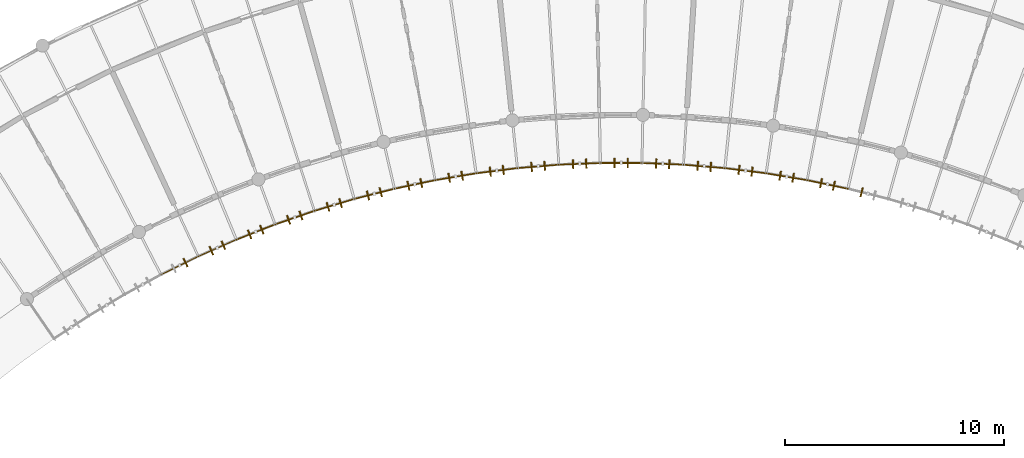
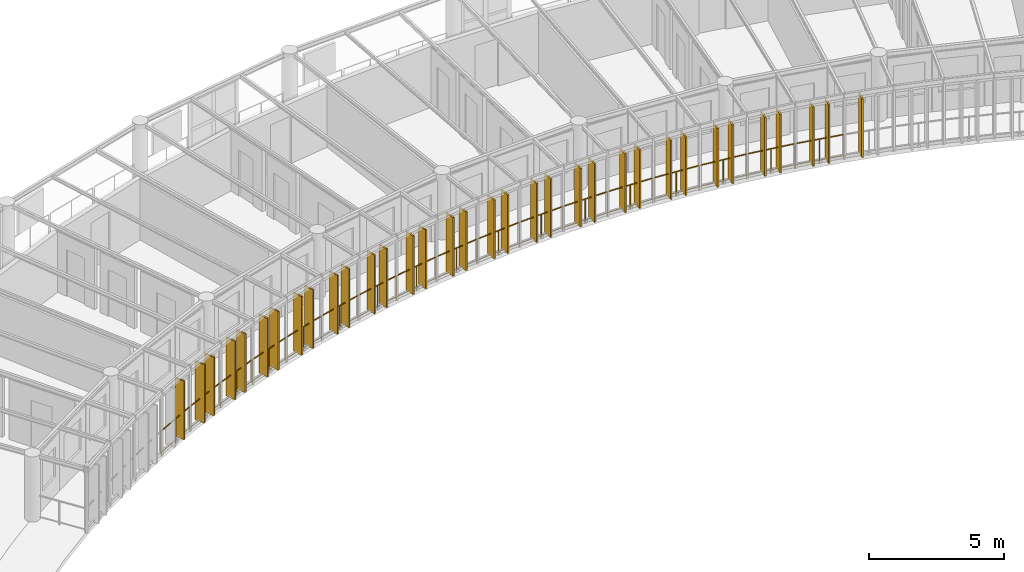
# One storey, part 97 of 101: 34 shading devices, 17 railings.
"""IFC4 building model written with IfcOpenShell, lengths in metres."""

from ifc_helpers import new_model, si_unit, direction, frame, origin, origin_2d, place, context, subcontext, project, spatial, rectangle, circle, extrude, material, layer, layer_set, type_object, element, save


model = new_model("IFC4")

# Units and contexts
model_context = context("Model", 3, precision=1e-05, world=origin(), true_north=direction((0.0, 1.0)))
body_context = subcontext(model_context, "Body", "Model", "MODEL_VIEW")
ifc_project = project(units=[si_unit("LENGTHUNIT", "METRE"), si_unit("AREAUNIT", "SQUARE_METRE"), si_unit("VOLUMEUNIT", "CUBIC_METRE"), si_unit("PLANEANGLEUNIT", "RADIAN"), si_unit("MASSUNIT", "GRAM", prefix="KILO"), si_unit("POWERUNIT", "WATT"), si_unit("THERMODYNAMICTEMPERATUREUNIT", "KELVIN")], contexts=[model_context])

# Site, building, storey
site_placement = place(None, origin())
site = spatial("IfcSite", under=ifc_project, at=site_placement, CompositionType="ELEMENT")
building_placement = place(site_placement, origin())
building = spatial("IfcBuilding", under=site, at=building_placement, Name="Ruvembo Vaulted Housing Court", CompositionType="ELEMENT")
storey_placement = place(building_placement, frame((0.0, 0.0, 17.300048828125)))
storey = spatial("IfcBuildingStorey", under=building, at=storey_placement, Name="L05", CompositionType="ELEMENT", Elevation=17.300048828125)

# Railings
ifc_material_1 = material(Name="Galvanised Painted Steel S275", Category="steel")
ifc_layer = layer(ifc_material_1, 0.06005859375, Name="Galvanised Painted Steel S275")
ifc_layer_set = layer_set([ifc_layer], Name="Galvanised Painted Steel S275")
railing_type = type_object("IfcRailingType", Name="RL-GUARD-1100", PredefinedType="GUARDRAIL", material=ifc_layer_set)
railing_1_placement = place(storey_placement, frame((95.95751953125, 90.6796875, 0.0)))
element("IfcRailing", 1, at=railing_1_placement, inside=storey, type_object=railing_type, Name="L05 Perimeter Guard RL-EXT-L05-0774", PredefinedType="GUARDRAIL", context=body_context, shape_type="SweptSolid", body=[
    extrude(circle(Radius=0.02392578125, at=origin_2d()), frame((0.0, 0.0, 1.076171875), z_axis=(0.897513310314, 0.44098736695, 0.0), x_axis=(-0.44098736695, 0.897513310314, 0.0)), (0.0, 0.0, 1.0), 1.901123046875),
    extrude(circle(Radius=0.01806640625, at=origin_2d()), frame((0.0, 0.0, 0.1201171875), z_axis=(0.897513310314, 0.44098736695, 0.0), x_axis=(-0.44098736695, 0.897513310314, 0.0)), (0.0, 0.0, 1.0), 1.901123046875),
    extrude(circle(Radius=0.02099609375, at=origin_2d()), origin(), (0.0, 0.0, 1.0), 1.052001953125),
    extrude(circle(Radius=0.02099609375, at=origin_2d()), frame((0.85302734375, 0.419189453125, 0.0)), (0.0, 0.0, 1.0), 1.052001953125),
    extrude(circle(Radius=0.02099609375, at=origin_2d()), frame((1.706298828125, 0.83837890625, 0.0)), (0.0, 0.0, 1.0), 1.052001953125),
])
railing_2_placement = place(storey_placement, frame((97.663818359375, 91.51806640625, 0.0)))
element("IfcRailing", 2, at=railing_2_placement, inside=storey, type_object=railing_type, Name="L05 Perimeter Guard RL-EXT-L05-0775", PredefinedType="GUARDRAIL", context=body_context, shape_type="SweptSolid", body=[
    extrude(circle(Radius=0.02392578125, at=origin_2d()), frame((0.0, 0.0, 1.076171875), z_axis=(0.91507815309, 0.403276547467, 0.0), x_axis=(-0.403276547467, 0.91507815309, 0.0)), (0.0, 0.0, 1.0), 1.90087890625),
    extrude(circle(Radius=0.01806640625, at=origin_2d()), frame((0.0, 0.0, 0.1201171875), z_axis=(0.91507815309, 0.403276547467, 0.0), x_axis=(-0.403276547467, 0.91507815309, 0.0)), (0.0, 0.0, 1.0), 1.90087890625),
    extrude(circle(Radius=0.02099609375, at=origin_2d()), origin(), (0.0, 0.0, 1.0), 1.052001953125),
    extrude(circle(Radius=0.02099609375, at=origin_2d()), frame((0.86962890625, 0.38330078125, 0.0)), (0.0, 0.0, 1.0), 1.052001953125),
    extrude(circle(Radius=0.02099609375, at=origin_2d()), frame((1.739501953125, 0.7666015625, 0.0)), (0.0, 0.0, 1.0), 1.052001953125),
])
railing_3_placement = place(storey_placement, frame((99.4033203125, 92.28466796875, 0.0)))
element("IfcRailing", 3, at=railing_3_placement, inside=storey, type_object=railing_type, Name="L05 Perimeter Guard RL-EXT-L05-0776", PredefinedType="GUARDRAIL", context=body_context, shape_type="SweptSolid", body=[
    extrude(circle(Radius=0.02392578125, at=origin_2d()), frame((0.0, 0.0, 1.076171875), z_axis=(0.931005720133, 0.365004587752, 0.0), x_axis=(-0.365004587752, 0.931005720133, 0.0)), (0.0, 0.0, 1.0), 1.90087890625),
    extrude(circle(Radius=0.01806640625, at=origin_2d()), frame((0.0, 0.0, 0.1201171875), z_axis=(0.931005720133, 0.365004587752, 0.0), x_axis=(-0.365004587752, 0.931005720133, 0.0)), (0.0, 0.0, 1.0), 1.90087890625),
    extrude(circle(Radius=0.02099609375, at=origin_2d()), origin(), (0.0, 0.0, 1.0), 1.052001953125),
    extrude(circle(Radius=0.02099609375, at=origin_2d()), frame((0.884765625, 0.346923828125, 0.0)), (0.0, 0.0, 1.0), 1.052001953125),
    extrude(circle(Radius=0.02099609375, at=origin_2d()), frame((1.769775390625, 0.69384765625, 0.0)), (0.0, 0.0, 1.0), 1.052001953125),
])
railing_4_placement = place(storey_placement, frame((101.173095703125, 92.978515625, 0.0)))
element("IfcRailing", 4, at=railing_4_placement, inside=storey, type_object=railing_type, Name="L05 Perimeter Guard RL-EXT-L05-0777", PredefinedType="GUARDRAIL", context=body_context, shape_type="SweptSolid", body=[
    extrude(circle(Radius=0.02392578125, at=origin_2d()), frame((0.0, 0.0, 1.076171875), z_axis=(0.945357969834, 0.326034214264, 0.0), x_axis=(-0.326034214264, 0.945357969834, 0.0)), (0.0, 0.0, 1.0), 1.9013671875),
    extrude(circle(Radius=0.01806640625, at=origin_2d()), frame((0.0, 0.0, 0.1201171875), z_axis=(0.945357969834, 0.326034214264, 0.0), x_axis=(-0.326034214264, 0.945357969834, 0.0)), (0.0, 0.0, 1.0), 1.9013671875),
    extrude(circle(Radius=0.02099609375, at=origin_2d()), origin(), (0.0, 0.0, 1.0), 1.052001953125),
    extrude(circle(Radius=0.02099609375, at=origin_2d()), frame((0.898681640625, 0.31005859375, 0.0)), (0.0, 0.0, 1.0), 1.052001953125),
    extrude(circle(Radius=0.02099609375, at=origin_2d()), frame((1.79736328125, 0.619873046875, 0.0)), (0.0, 0.0, 1.0), 1.052001953125),
])
railing_5_placement = place(storey_placement, frame((102.970458984375, 93.598388671875, 0.0)))
element("IfcRailing", 5, at=railing_5_placement, inside=storey, type_object=railing_type, Name="L05 Perimeter Guard RL-EXT-L05-0778", PredefinedType="GUARDRAIL", context=body_context, shape_type="SweptSolid", body=[
    extrude(circle(Radius=0.02392578125, at=origin_2d()), frame((0.0, 0.0, 1.076171875), z_axis=(0.958108609181, 0.286405120439, 0.0), x_axis=(-0.286405120439, 0.958108609181, 0.0)), (0.0, 0.0, 1.0), 1.90087890625),
    extrude(circle(Radius=0.01806640625, at=origin_2d()), frame((0.0, 0.0, 0.1201171875), z_axis=(0.958108609181, 0.286405120439, 0.0), x_axis=(-0.286405120439, 0.958108609181, 0.0)), (0.0, 0.0, 1.0), 1.90087890625),
    extrude(circle(Radius=0.02099609375, at=origin_2d()), origin(), (0.0, 0.0, 1.0), 1.052001953125),
    extrude(circle(Radius=0.02099609375, at=origin_2d()), frame((0.91064453125, 0.272216796875, 0.0)), (0.0, 0.0, 1.0), 1.052001953125),
    extrude(circle(Radius=0.02099609375, at=origin_2d()), frame((1.8212890625, 0.54443359375, 0.0)), (0.0, 0.0, 1.0), 1.052001953125),
])
railing_6_placement = place(storey_placement, frame((104.791748046875, 94.142822265625, 0.0)))
element("IfcRailing", 6, at=railing_6_placement, inside=storey, type_object=railing_type, Name="L05 Perimeter Guard RL-EXT-L05-0779", PredefinedType="GUARDRAIL", context=body_context, shape_type="SweptSolid", body=[
    extrude(circle(Radius=0.02392578125, at=origin_2d()), frame((0.0, 0.0, 1.076171875), z_axis=(0.969121730429, 0.246582788553, 0.0), x_axis=(-0.246582788553, 0.969121730429, 0.0)), (0.0, 0.0, 1.0), 1.90087890625),
    extrude(circle(Radius=0.01806640625, at=origin_2d()), frame((0.0, 0.0, 0.1201171875), z_axis=(0.969121730429, 0.246582788553, 0.0), x_axis=(-0.246582788553, 0.969121730429, 0.0)), (0.0, 0.0, 1.0), 1.90087890625),
    extrude(circle(Radius=0.02099609375, at=origin_2d()), origin(), (0.0, 0.0, 1.0), 1.052001953125),
    extrude(circle(Radius=0.02099609375, at=origin_2d()), frame((0.921142578125, 0.234375, 0.0)), (0.0, 0.0, 1.0), 1.052001953125),
    extrude(circle(Radius=0.02099609375, at=origin_2d()), frame((1.84228515625, 0.46875, 0.0)), (0.0, 0.0, 1.0), 1.052001953125),
])
railing_7_placement = place(storey_placement, frame((106.634033203125, 94.611572265625, 0.0)))
element("IfcRailing", 7, at=railing_7_placement, inside=storey, type_object=railing_type, Name="L05 Perimeter Guard RL-EXT-L05-0780", PredefinedType="GUARDRAIL", context=body_context, shape_type="SweptSolid", body=[
    extrude(circle(Radius=0.02392578125, at=origin_2d()), frame((0.0, 0.0, 1.076171875), z_axis=(0.978529342624, 0.206107558387, 0.0), x_axis=(-0.206107558387, 0.978529342624, 0.0)), (0.0, 0.0, 1.0), 1.901123046875),
    extrude(circle(Radius=0.01806640625, at=origin_2d()), frame((0.0, 0.0, 0.1201171875), z_axis=(0.978529342624, 0.206107558387, 0.0), x_axis=(-0.206107558387, 0.978529342624, 0.0)), (0.0, 0.0, 1.0), 1.901123046875),
    extrude(circle(Radius=0.02099609375, at=origin_2d()), origin(), (0.0, 0.0, 1.0), 1.052001953125),
    extrude(circle(Radius=0.02099609375, at=origin_2d()), frame((0.93017578125, 0.19580078125, 0.0)), (0.0, 0.0, 1.0), 1.052001953125),
    extrude(circle(Radius=0.02099609375, at=origin_2d()), frame((1.8603515625, 0.391845703125, 0.0)), (0.0, 0.0, 1.0), 1.052001953125),
])
railing_8_placement = place(storey_placement, frame((108.494384765625, 95.00341796875, 0.0)))
element("IfcRailing", 8, at=railing_8_placement, inside=storey, type_object=railing_type, Name="L05 Perimeter Guard RL-EXT-L05-0781", PredefinedType="GUARDRAIL", context=body_context, shape_type="SweptSolid", body=[
    extrude(circle(Radius=0.02392578125, at=origin_2d()), frame((0.0, 0.0, 1.076171875), z_axis=(0.986265186139, 0.165169557153, 0.0), x_axis=(-0.165169557153, 0.986265186139, 0.0)), (0.0, 0.0, 1.0), 1.90087890625),
    extrude(circle(Radius=0.01806640625, at=origin_2d()), frame((0.0, 0.0, 0.1201171875), z_axis=(0.986265186139, 0.165169557153, 0.0), x_axis=(-0.165169557153, 0.986265186139, 0.0)), (0.0, 0.0, 1.0), 1.90087890625),
    extrude(circle(Radius=0.02099609375, at=origin_2d()), origin(), (0.0, 0.0, 1.0), 1.052001953125),
    extrude(circle(Radius=0.02099609375, at=origin_2d()), frame((0.9375, 0.156982421875, 0.0)), (0.0, 0.0, 1.0), 1.052001953125),
    extrude(circle(Radius=0.02099609375, at=origin_2d()), frame((1.874755859375, 0.31396484375, 0.0)), (0.0, 0.0, 1.0), 1.052001953125),
])
railing_9_placement = place(storey_placement, frame((110.369140625, 95.3173828125, 0.0)))
element("IfcRailing", 9, at=railing_9_placement, inside=storey, type_object=railing_type, Name="L05 Perimeter Guard RL-EXT-L05-0782", PredefinedType="GUARDRAIL", context=body_context, shape_type="SweptSolid", body=[
    extrude(circle(Radius=0.02392578125, at=origin_2d()), frame((0.0, 0.0, 1.076171875), z_axis=(0.992244255502, 0.124303408739, 0.0), x_axis=(-0.124303408739, 0.992244255502, 0.0)), (0.0, 0.0, 1.0), 1.901123046875),
    extrude(circle(Radius=0.01806640625, at=origin_2d()), frame((0.0, 0.0, 0.1201171875), z_axis=(0.992244255502, 0.124303408739, 0.0), x_axis=(-0.124303408739, 0.992244255502, 0.0)), (0.0, 0.0, 1.0), 1.901123046875),
    extrude(circle(Radius=0.02099609375, at=origin_2d()), origin(), (0.0, 0.0, 1.0), 1.052001953125),
    extrude(circle(Radius=0.02099609375, at=origin_2d()), frame((0.943359375, 0.1181640625, 0.0)), (0.0, 0.0, 1.0), 1.052001953125),
    extrude(circle(Radius=0.02099609375, at=origin_2d()), frame((1.886474609375, 0.236328125, 0.0)), (0.0, 0.0, 1.0), 1.052001953125),
])
railing_10_placement = place(storey_placement, frame((112.255615234375, 95.5537109375, 0.0)))
element("IfcRailing", 10, at=railing_10_placement, inside=storey, type_object=railing_type, Name="L05 Perimeter Guard RL-EXT-L05-0783", PredefinedType="GUARDRAIL", context=body_context, shape_type="SweptSolid", body=[
    extrude(circle(Radius=0.02392578125, at=origin_2d()), frame((0.0, 0.0, 1.076171875), z_axis=(0.99656344911, 0.082832915551, 0.0), x_axis=(-0.082832915551, 0.99656344911, 0.0)), (0.0, 0.0, 1.0), 1.901123046875),
    extrude(circle(Radius=0.01806640625, at=origin_2d()), frame((0.0, 0.0, 0.1201171875), z_axis=(0.99656344911, 0.082832915551, 0.0), x_axis=(-0.082832915551, 0.99656344911, 0.0)), (0.0, 0.0, 1.0), 1.901123046875),
    extrude(circle(Radius=0.02099609375, at=origin_2d()), origin(), (0.0, 0.0, 1.0), 1.052001953125),
    extrude(circle(Radius=0.02099609375, at=origin_2d()), frame((0.947265625, 0.07861328125, 0.0)), (0.0, 0.0, 1.0), 1.052001953125),
    extrude(circle(Radius=0.02099609375, at=origin_2d()), frame((1.89453125, 0.157470703125, 0.0)), (0.0, 0.0, 1.0), 1.052001953125),
])
railing_11_placement = place(storey_placement, frame((114.150146484375, 95.711181640625, 0.0)))
element("IfcRailing", 11, at=railing_11_placement, inside=storey, type_object=railing_type, Name="L05 Perimeter Guard RL-EXT-L05-0784", PredefinedType="GUARDRAIL", context=body_context, shape_type="SweptSolid", body=[
    extrude(circle(Radius=0.02392578125, at=origin_2d()), frame((0.0, 0.0, 1.076171875), z_axis=(0.999139293915, 0.041480975827, 0.0), x_axis=(-0.041480975827, 0.999139293915, 0.0)), (0.0, 0.0, 1.0), 1.901123046875),
    extrude(circle(Radius=0.01806640625, at=origin_2d()), frame((0.0, 0.0, 0.1201171875), z_axis=(0.999139293915, 0.041480975827, 0.0), x_axis=(-0.041480975827, 0.999139293915, 0.0)), (0.0, 0.0, 1.0), 1.901123046875),
    extrude(circle(Radius=0.02099609375, at=origin_2d()), origin(), (0.0, 0.0, 1.0), 1.052001953125),
    extrude(circle(Radius=0.02099609375, at=origin_2d()), frame((0.94970703125, 0.03955078125, 0.0)), (0.0, 0.0, 1.0), 1.052001953125),
    extrude(circle(Radius=0.02099609375, at=origin_2d()), frame((1.8994140625, 0.078857421875, 0.0)), (0.0, 0.0, 1.0), 1.052001953125),
])
railing_12_placement = place(storey_placement, frame((116.049560546875, 95.7900390625, 0.0)))
element("IfcRailing", 12, at=railing_12_placement, inside=storey, type_object=railing_type, Name="L05 Perimeter Guard RL-EXT-L05-0785", PredefinedType="GUARDRAIL", context=body_context, shape_type="SweptSolid", body=[
    extrude(circle(Radius=0.02392578125, at=origin_2d()), frame((0.0, 0.0, 1.076171875), z_axis=(1.0, 0.0, 0.0), x_axis=(0.0, 1.0, 0.0)), (0.0, 0.0, 1.0), 1.90087890625),
    extrude(circle(Radius=0.01806640625, at=origin_2d()), frame((0.0, 0.0, 0.1201171875), z_axis=(1.0, 0.0, 0.0), x_axis=(0.0, 1.0, 0.0)), (0.0, 0.0, 1.0), 1.90087890625),
    extrude(circle(Radius=0.02099609375, at=origin_2d()), origin(), (0.0, 0.0, 1.0), 1.052001953125),
    extrude(circle(Radius=0.02099609375, at=origin_2d()), frame((0.950439453125, 0.0, 0.0)), (0.0, 0.0, 1.0), 1.052001953125),
    extrude(circle(Radius=0.02099609375, at=origin_2d()), frame((1.90087890625, 0.0, 0.0)), (0.0, 0.0, 1.0), 1.052001953125),
])
railing_13_placement = place(storey_placement, frame((117.950439453125, 95.7900390625, 0.0)))
element("IfcRailing", 13, at=railing_13_placement, inside=storey, type_object=railing_type, Name="L05 Perimeter Guard RL-EXT-L05-0786", PredefinedType="GUARDRAIL", context=body_context, shape_type="SweptSolid", body=[
    extrude(circle(Radius=0.02392578125, at=origin_2d()), frame((0.0, 0.0, 1.076171875), z_axis=(0.999139293915, -0.041480975827, 0.0), x_axis=(0.041480975827, 0.999139293915, 0.0)), (0.0, 0.0, 1.0), 1.901123046875),
    extrude(circle(Radius=0.01806640625, at=origin_2d()), frame((0.0, 0.0, 0.1201171875), z_axis=(0.999139293915, -0.041480975827, 0.0), x_axis=(0.041480975827, 0.999139293915, 0.0)), (0.0, 0.0, 1.0), 1.901123046875),
    extrude(circle(Radius=0.02099609375, at=origin_2d()), origin(), (0.0, 0.0, 1.0), 1.052001953125),
    extrude(circle(Radius=0.02099609375, at=origin_2d()), frame((0.94970703125, -0.03955078125, 0.0)), (0.0, 0.0, 1.0), 1.052001953125),
    extrude(circle(Radius=0.02099609375, at=origin_2d()), frame((1.8994140625, -0.078857421875, 0.0)), (0.0, 0.0, 1.0), 1.052001953125),
])
railing_14_placement = place(storey_placement, frame((119.849853515625, 95.711181640625, 0.0)))
element("IfcRailing", 14, at=railing_14_placement, inside=storey, type_object=railing_type, Name="L05 Perimeter Guard RL-EXT-L05-0787", PredefinedType="GUARDRAIL", context=body_context, shape_type="SweptSolid", body=[
    extrude(circle(Radius=0.02392578125, at=origin_2d()), frame((0.0, 0.0, 1.076171875), z_axis=(0.99656344911, -0.082832915551, 0.0), x_axis=(0.082832915551, 0.99656344911, 0.0)), (0.0, 0.0, 1.0), 1.901123046875),
    extrude(circle(Radius=0.01806640625, at=origin_2d()), frame((0.0, 0.0, 0.1201171875), z_axis=(0.99656344911, -0.082832915551, 0.0), x_axis=(0.082832915551, 0.99656344911, 0.0)), (0.0, 0.0, 1.0), 1.901123046875),
    extrude(circle(Radius=0.02099609375, at=origin_2d()), origin(), (0.0, 0.0, 1.0), 1.052001953125),
    extrude(circle(Radius=0.02099609375, at=origin_2d()), frame((0.947265625, -0.07861328125, 0.0)), (0.0, 0.0, 1.0), 1.052001953125),
    extrude(circle(Radius=0.02099609375, at=origin_2d()), frame((1.89453125, -0.157470703125, 0.0)), (0.0, 0.0, 1.0), 1.052001953125),
])
railing_15_placement = place(storey_placement, frame((121.744384765625, 95.5537109375, 0.0)))
element("IfcRailing", 15, at=railing_15_placement, inside=storey, type_object=railing_type, Name="L05 Perimeter Guard RL-EXT-L05-0788", PredefinedType="GUARDRAIL", context=body_context, shape_type="SweptSolid", body=[
    extrude(circle(Radius=0.02392578125, at=origin_2d()), frame((0.0, 0.0, 1.076171875), z_axis=(0.992244255502, -0.124303408739, 0.0), x_axis=(0.124303408739, 0.992244255502, 0.0)), (0.0, 0.0, 1.0), 1.901123046875),
    extrude(circle(Radius=0.01806640625, at=origin_2d()), frame((0.0, 0.0, 0.1201171875), z_axis=(0.992244255502, -0.124303408739, 0.0), x_axis=(0.124303408739, 0.992244255502, 0.0)), (0.0, 0.0, 1.0), 1.901123046875),
    extrude(circle(Radius=0.02099609375, at=origin_2d()), origin(), (0.0, 0.0, 1.0), 1.052001953125),
    extrude(circle(Radius=0.02099609375, at=origin_2d()), frame((0.943359375, -0.1181640625, 0.0)), (0.0, 0.0, 1.0), 1.052001953125),
    extrude(circle(Radius=0.02099609375, at=origin_2d()), frame((1.886474609375, -0.236328125, 0.0)), (0.0, 0.0, 1.0), 1.052001953125),
])
railing_16_placement = place(storey_placement, frame((123.630859375, 95.3173828125, 0.0)))
element("IfcRailing", 16, at=railing_16_placement, inside=storey, type_object=railing_type, Name="L05 Perimeter Guard RL-EXT-L05-0789", PredefinedType="GUARDRAIL", context=body_context, shape_type="SweptSolid", body=[
    extrude(circle(Radius=0.02392578125, at=origin_2d()), frame((0.0, 0.0, 1.076171875), z_axis=(0.986265186139, -0.165169557153, 0.0), x_axis=(0.165169557153, 0.986265186139, 0.0)), (0.0, 0.0, 1.0), 1.90087890625),
    extrude(circle(Radius=0.01806640625, at=origin_2d()), frame((0.0, 0.0, 0.1201171875), z_axis=(0.986265186139, -0.165169557153, 0.0), x_axis=(0.165169557153, 0.986265186139, 0.0)), (0.0, 0.0, 1.0), 1.90087890625),
    extrude(circle(Radius=0.02099609375, at=origin_2d()), origin(), (0.0, 0.0, 1.0), 1.052001953125),
    extrude(circle(Radius=0.02099609375, at=origin_2d()), frame((0.9375, -0.156982421875, 0.0)), (0.0, 0.0, 1.0), 1.052001953125),
    extrude(circle(Radius=0.02099609375, at=origin_2d()), frame((1.874755859375, -0.31396484375, 0.0)), (0.0, 0.0, 1.0), 1.052001953125),
])
railing_17_placement = place(storey_placement, frame((125.505615234375, 95.00341796875, 0.0)))
element("IfcRailing", 17, at=railing_17_placement, inside=storey, type_object=railing_type, Name="L05 Perimeter Guard RL-EXT-L05-0790", PredefinedType="GUARDRAIL", context=body_context, shape_type="SweptSolid", body=[
    extrude(circle(Radius=0.02392578125, at=origin_2d()), frame((0.0, 0.0, 1.076171875), z_axis=(0.978529342624, -0.206107558387, 0.0), x_axis=(0.206107558387, 0.978529342624, 0.0)), (0.0, 0.0, 1.0), 1.901123046875),
    extrude(circle(Radius=0.01806640625, at=origin_2d()), frame((0.0, 0.0, 0.1201171875), z_axis=(0.978529342624, -0.206107558387, 0.0), x_axis=(0.206107558387, 0.978529342624, 0.0)), (0.0, 0.0, 1.0), 1.901123046875),
    extrude(circle(Radius=0.02099609375, at=origin_2d()), origin(), (0.0, 0.0, 1.0), 1.052001953125),
    extrude(circle(Radius=0.02099609375, at=origin_2d()), frame((0.93017578125, -0.19580078125, 0.0)), (0.0, 0.0, 1.0), 1.052001953125),
    extrude(circle(Radius=0.02099609375, at=origin_2d()), frame((1.8603515625, -0.391845703125, 0.0)), (0.0, 0.0, 1.0), 1.052001953125),
])

# Shading devices
ifc_material_2 = material(Name="Kiln-Fired Terracotta Extrusion", Category="masonry")
shading_device_type = type_object("IfcShadingDeviceType", Name="SHD-FIN-420", PredefinedType="USERDEFINED", material=ifc_material_2)
for number, where, z_axis, x_axis, name in (
    (18, (97.079833984375, 91.231201171875, 0.050048828125), (0.0, 0.0, 1.0), (0.440910671447, -0.897550990086, 0.0), "Terracotta Brise-Soleil Fin #710"),
    (19, (98.259033203125, 91.780517578125, 0.050048828125), (0.0, 0.0, 1.0), (0.403305746645, -0.915065284405, 0.0), "Terracotta Brise-Soleil Fin #711"),
    (20, (98.80810546875, 92.022216796875, 0.050048828125), (0.0, 0.0, 1.0), (0.403305746645, -0.915065284405, 0.0), "Terracotta Brise-Soleil Fin #712"),
    (21, (100.0087890625, 92.522216796875, 0.050048828125), (0.0, 0.0, 1.0), (0.364958032896, -0.931023970811, 0.0), "Terracotta Brise-Soleil Fin #713"),
    (22, (100.567626953125, 92.7412109375, 0.050048828125), (0.0, 0.0, 1.0), (0.364958032896, -0.931023970811, 0.0), "Terracotta Brise-Soleil Fin #714"),
    (23, (101.7880859375, 93.190673828125, 0.050048828125), (0.0, 0.0, 1.0), (0.326030183107, -0.945359360087, 0.0), "Terracotta Brise-Soleil Fin #715"),
    (24, (102.35546875, 93.38623046875, 0.050048828125), (0.0, 0.0, 1.0), (0.326030183107, -0.945359360087, 0.0), "Terracotta Brise-Soleil Fin #716"),
    (25, (103.593505859375, 93.78466796875, 0.050048828125), (0.0, 0.0, 1.0), (0.2864911095, -0.958082900472, 0.0), "Terracotta Brise-Soleil Fin #717"),
    (26, (104.16845703125, 93.95654296875, 0.050048828125), (0.0, 0.0, 1.0), (0.2864911095, -0.958082900472, 0.0), "Terracotta Brise-Soleil Fin #718"),
    (27, (105.422119140625, 94.30322265625, 0.050048828125), (0.0, 0.0, 1.0), (0.246491603437, -0.969144926951, 0.0), "Terracotta Brise-Soleil Fin #719"),
    (28, (106.003662109375, 94.451171875, 0.050048828125), (0.0, 0.0, 1.0), (0.246491603437, -0.969144926951, 0.0), "Terracotta Brise-Soleil Fin #720"),
    (29, (107.2705078125, 94.74560546875, 0.050048828125), (0.0, 0.0, 1.0), (0.206101715045, -0.978530573388, 0.0), "Terracotta Brise-Soleil Fin #721"),
    (30, (107.85791015625, 94.869140625, 0.050048828125), (0.0, 0.0, 1.0), (0.206101715045, -0.978530573388, 0.0), "Terracotta Brise-Soleil Fin #722"),
    (31, (109.135986328125, 95.11083984375, 0.050048828125), (0.0, 0.0, 1.0), (0.165271382715, -0.986248128037, 0.0), "Terracotta Brise-Soleil Fin #723"),
    (32, (109.7275390625, 95.2099609375, 0.050048828125), (0.0, 0.0, 1.0), (0.165271382715, -0.986248128037, 0.0), "Terracotta Brise-Soleil Fin #724"),
    (33, (111.0146484375, 95.398193359375, 0.050048828125), (0.0, 0.0, 1.0), (0.12419031657, -0.992258416578, 0.0), "Terracotta Brise-Soleil Fin #725"),
    (34, (111.610107421875, 95.472900390625, 0.050048828125), (0.0, 0.0, 1.0), (0.12419031657, -0.992258416578, 0.0), "Terracotta Brise-Soleil Fin #726"),
    (35, (112.90380859375, 95.607421875, 0.050048828125), (0.0, 0.0, 1.0), (0.082895173943, -0.996558272324, 0.0), "Terracotta Brise-Soleil Fin #727"),
    (36, (113.501708984375, 95.6572265625, 0.050048828125), (0.0, 0.0, 1.0), (0.082895173943, -0.996558272324, 0.0), "Terracotta Brise-Soleil Fin #728"),
    (37, (114.800048828125, 95.73828125, 0.050048828125), (0.0, 0.0, 1.0), (0.041509453281, -0.999138111218, 0.0), "Terracotta Brise-Soleil Fin #729"),
    (38, (115.3994140625, 95.76318359375, 0.050048828125), (0.0, 0.0, 1.0), (0.041509453281, -0.999138111218, 0.0), "Terracotta Brise-Soleil Fin #730"),
    (39, (116.699951171875, 95.7900390625, 0.050048828125), (0.0, 0.0, 1.0), (0.0, -1.0, 0.0), "Terracotta Brise-Soleil Fin #731"),
    (40, (117.300048828125, 95.7900390625, 0.050048828125), (0.0, 0.0, 1.0), (0.0, -1.0, 0.0), "Terracotta Brise-Soleil Fin #732"),
    (41, (118.6005859375, 95.76318359375, 0.050048828125), (0.0, 0.0, 1.0), (-0.041509453281, -0.999138111218, 0.0), "Terracotta Brise-Soleil Fin #733"),
    (42, (119.199951171875, 95.73828125, 0.050048828125), (0.0, 0.0, 1.0), (-0.041509453281, -0.999138111218, 0.0), "Terracotta Brise-Soleil Fin #734"),
    (43, (120.498291015625, 95.6572265625, 0.050048828125), (0.0, 0.0, 1.0), (-0.082895173943, -0.996558272324, 0.0), "Terracotta Brise-Soleil Fin #735"),
    (44, (121.09619140625, 95.607421875, 0.050048828125), (0.0, 0.0, 1.0), (-0.082895173943, -0.996558272324, 0.0), "Terracotta Brise-Soleil Fin #736"),
    (45, (122.389892578125, 95.472900390625, 0.050048828125), (0.0, 0.0, 1.0), (-0.12419031657, -0.992258416578, 0.0), "Terracotta Brise-Soleil Fin #737"),
    (46, (122.9853515625, 95.398193359375, 0.050048828125), (0.0, 0.0, 1.0), (-0.12419031657, -0.992258416578, 0.0), "Terracotta Brise-Soleil Fin #738"),
    (47, (124.2724609375, 95.2099609375, 0.050048828125), (0.0, 0.0, 1.0), (-0.165271382715, -0.986248128037, 0.0), "Terracotta Brise-Soleil Fin #739"),
    (48, (124.864013671875, 95.11083984375, 0.050048828125), (0.0, 0.0, 1.0), (-0.165271382715, -0.986248128037, 0.0), "Terracotta Brise-Soleil Fin #740"),
    (49, (126.14208984375, 94.869140625, 0.050048828125), (0.0, 0.0, 1.0), (-0.206101715045, -0.978530573388, 0.0), "Terracotta Brise-Soleil Fin #741"),
    (50, (126.7294921875, 94.74560546875, 0.050048828125), (0.0, 0.0, 1.0), (-0.206101715045, -0.978530573388, 0.0), "Terracotta Brise-Soleil Fin #742"),
    (51, (127.996337890625, 94.451171875, 0.050048828125), (0.0, 0.0, 1.0), (-0.246491603437, -0.969144926951, 0.0), "Terracotta Brise-Soleil Fin #743"),
):
    element("IfcShadingDevice", number, at=place(storey_placement, frame(where, z_axis=z_axis, x_axis=x_axis)), inside=storey, type_object=shading_device_type, Name=name, ObjectType="FIN", PredefinedType="USERDEFINED", context=body_context, shape_type="SweptSolid", body=[
        extrude(rectangle(XDim=0.419921875, YDim=0.06494140625, at=origin_2d()), origin(), (0.0, 0.0, 1.0), 2.64501953125),
    ])

save(model, "model.ifc")
